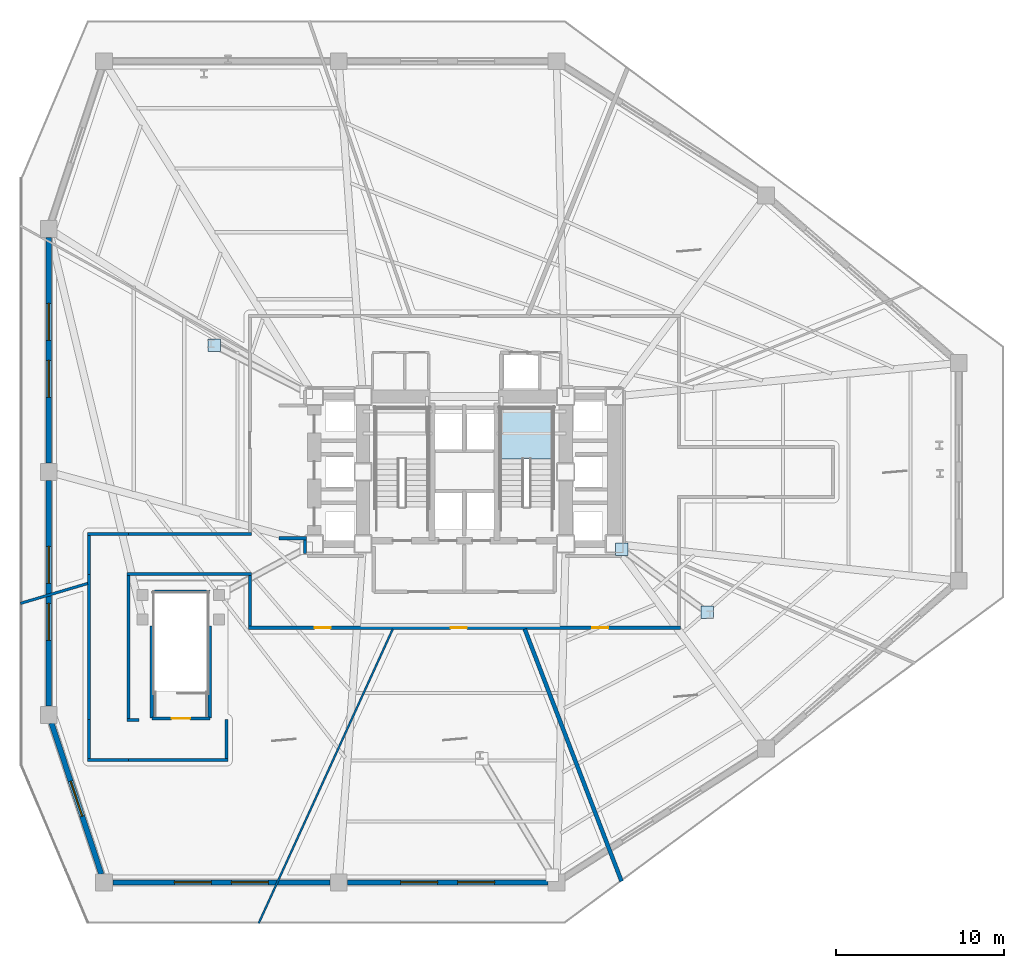
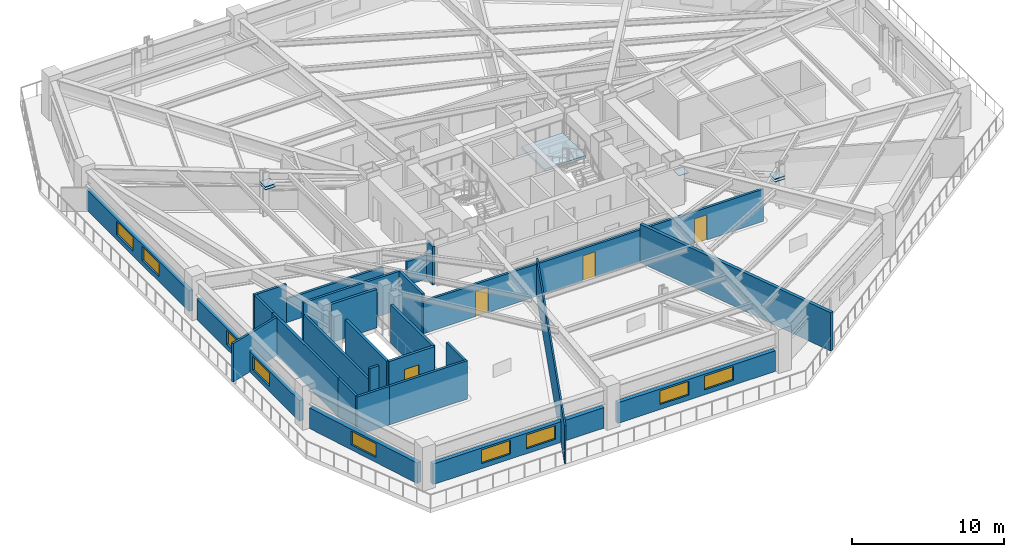
# One storey, part 3 of 10: 27 walls, 9 windows, 5 plates, 4 doors, 1 slab, 13 openings, 1 element without a shape of its own.
"""IFC4 building model written with IfcOpenShell, lengths in metres."""

import ifcopenshell
import ifcopenshell.guid

model = None  # the IFC model being written
_history = None  # IfcOwnerHistory: only IFC2X3 demands one
_inside = {}  # id of a spatial element -> (the spatial element, [elements in it])
_under = {}  # id of a project, library or spatial element -> (it, [spatial elements below it])
_declared = {}  # id of a project -> (the project, [libraries it declares])
_typed = {}  # id of a type object -> (the type object, [elements of that type])
_made_of = {}  # id of a material, layer set ... -> (it, [elements and type objects made of it])


def new_model(schema):
    """Start an empty IFC model of exactly this schema.

    Asked for "IFC4X3", IfcOpenShell would pick the latest addendum, in which some entities
    have other attributes; the version numbers below select the first issue.
    IFC2X3 requires an IfcOwnerHistory on every rooted entity: one is made here for all.
    """
    global model, _history
    if schema == "IFC4X3":
        model = ifcopenshell.file(schema_version=(4, 3, 0, 0))
    else:
        model = ifcopenshell.file(schema=schema)
    _inside.clear()
    _under.clear()
    _declared.clear()
    _typed.clear()
    _made_of.clear()
    _history = None
    if model.schema == "IFC2X3":
        org = make("IfcOrganization", Name="unknown")
        user = make(
            "IfcPersonAndOrganization",
            ThePerson=make("IfcPerson", FamilyName="unknown"),
            TheOrganization=org,
        )
        app = make(
            "IfcApplication",
            ApplicationDeveloper=org,
            Version="unknown",
            ApplicationFullName="unknown",
            ApplicationIdentifier="unknown",
        )
        _history = make(
            "IfcOwnerHistory",
            OwningUser=user,
            OwningApplication=app,
            ChangeAction="ADDED",
            CreationDate=0,
        )
    return model


def make(cls, **values):
    """One entity of the class cls with the attributes given. An attribute that is None is left unset."""
    return model.create_entity(
        cls, **{name: value for name, value in values.items() if value is not None}
    )


def rooted(cls, **values):
    """An entity with a GlobalId (a new one), such as an element, a storey or a relation."""
    return make(cls, GlobalId=ifcopenshell.guid.new(), OwnerHistory=_history, **values)


def si_unit(unit_type, name, prefix=None):
    """IfcSIUnit, for example si_unit("LENGTHUNIT", "METRE", prefix="MILLI")."""
    return make("IfcSIUnit", UnitType=unit_type, Prefix=prefix, Name=name)


def assignment(units):
    """IfcUnitAssignment: the units of a project."""
    return None if units is None else make("IfcUnitAssignment", Units=units)


def point(xyz):
    """IfcCartesianPoint."""
    return None if xyz is None else make("IfcCartesianPoint", Coordinates=xyz)


def direction(xyz):
    """IfcDirection."""
    return None if xyz is None else make("IfcDirection", DirectionRatios=xyz)


def frame(location, z_axis=None, x_axis=None):
    """IfcAxis2Placement3D, a coordinate frame: its origin and axes. An axis left out is left unset."""
    return make(
        "IfcAxis2Placement3D",
        Location=point(location),
        Axis=direction(z_axis),
        RefDirection=direction(x_axis),
    )


def frame_2d(location, x_axis=None):
    """IfcAxis2Placement2D, a coordinate frame in the plane: its origin and x axis."""
    return make(
        "IfcAxis2Placement2D", Location=point(location), RefDirection=direction(x_axis)
    )


def origin():
    """The frame at (0, 0, 0) with its axes left unset."""
    return frame((0.0, 0.0, 0.0))


def origin_2d():
    """The frame at (0, 0) in the plane with its x axis left unset."""
    return frame_2d((0.0, 0.0))


def place(relative_to, where):
    """IfcLocalPlacement: puts the frame where relative to a parent placement (None: the world)."""
    return make(
        "IfcLocalPlacement", PlacementRelTo=relative_to, RelativePlacement=where
    )


def context(
    kind, dimensions, precision=None, world=None, true_north=None, identifier=None
):
    """IfcGeometricRepresentationContext, for example the 3D "Model" context."""
    return make(
        "IfcGeometricRepresentationContext",
        ContextIdentifier=identifier,
        ContextType=kind,
        CoordinateSpaceDimension=dimensions,
        Precision=precision,
        WorldCoordinateSystem=world,
        TrueNorth=true_north,
    )


def subcontext(parent, identifier, kind, view, scale=None):
    """IfcGeometricRepresentationSubContext, for example "Body" below "Model"."""
    return make(
        "IfcGeometricRepresentationSubContext",
        ContextIdentifier=identifier,
        ContextType=kind,
        ParentContext=parent,
        TargetScale=scale,
        TargetView=view,
    )


def project(units=None, contexts=None):
    """IfcProject with its units and contexts."""
    return rooted(
        "IfcProject",
        Name="project",
        RepresentationContexts=contexts,
        UnitsInContext=assignment(units),
    )


def spatial(cls, under=None, at=None, **own):
    """A site, building, storey or space (cls), placed at a placement, below another one or the project."""
    s = rooted(cls, ObjectPlacement=at, **own)
    if under is not None:
        _under.setdefault(under.id(), (under, []))[1].append(s)
    return s


def polyline(points):
    """IfcPolyline through the points."""
    return make("IfcPolyline", Points=[point(p) for p in points])


def profile(cls, at=None, kind="AREA", **sizes):
    """A parametric profile (cls). Its sizes go by their IFC names, for example OverallWidth=200.0."""
    return make(cls, ProfileType=kind, Position=at, **sizes)


def rectangle(**sizes):
    """IfcRectangleProfileDef."""
    return profile("IfcRectangleProfileDef", **sizes)


def outline(outer, holes=None, kind="AREA"):
    """IfcArbitraryClosedProfileDef: a profile drawn as a closed curve; with holes, ...WithVoids."""
    if holes is None:
        return make("IfcArbitraryClosedProfileDef", ProfileType=kind, OuterCurve=outer)
    return make(
        "IfcArbitraryProfileDefWithVoids",
        ProfileType=kind,
        OuterCurve=outer,
        InnerCurves=holes,
    )


def extrude(swept, where, along, depth):
    """IfcExtrudedAreaSolid: the profile swept, set in the frame where, extruded along a direction by depth."""
    return make(
        "IfcExtrudedAreaSolid",
        SweptArea=swept,
        Position=where,
        ExtrudedDirection=direction(along),
        Depth=depth,
    )


def shape(context_of_items, identifier, shape_type, items):
    """IfcShapeRepresentation: the items that make up one representation, for example the "Body"."""
    return make(
        "IfcShapeRepresentation",
        ContextOfItems=context_of_items,
        RepresentationIdentifier=identifier,
        RepresentationType=shape_type,
        Items=items,
    )


def material(Name=None, Category=None):
    """IfcMaterial."""
    return make("IfcMaterial", Name=Name, Category=Category)


def layer(
    of_material, thickness, ventilated=None, Name=None, Category=None, Priority=None
):
    """IfcMaterialLayer: one layer of a wall or slab, of a material (None: an air gap)."""
    return make(
        "IfcMaterialLayer",
        Material=of_material,
        LayerThickness=thickness,
        IsVentilated=ventilated,
        Name=Name,
        Category=Category,
        Priority=Priority,
    )


def layer_set(layers, Name=None):
    """IfcMaterialLayerSet."""
    return make("IfcMaterialLayerSet", MaterialLayers=layers, LayerSetName=Name)


def made_of(thing, what):
    """Note that an element or type object is made of a material, layer set ...; save() writes the relation."""
    if what is not None:
        _made_of.setdefault(what.id(), (what, []))[1].append(thing)
    return thing


def type_object(cls, material=None, **own):
    """A type object (cls), such as IfcWallType, which elements share."""
    return made_of(rooted(cls, **own), material)


def element(
    cls,
    number,
    at=None,
    inside=None,
    cuts=None,
    type_object=None,
    material=None,
    context=None,
    identifier="Body",
    shape_type=None,
    held_by="IfcProductDefinitionShape",
    body=None,
    shapes=None,
    **own,
):
    """One element of the class cls, such as IfcWall. Its Tag is "e" and its number.

    at: its placement. inside: the storey or other place that contains it. cuts: it is an
    opening in that element (IfcRelVoidsElement). A single representation is given by context,
    identifier, shape_type and body (its items); several are given by shapes. held_by: the class
    of the entity that holds the representations. save() writes the other relations.
    """
    e = rooted(cls, Tag="e%d" % number, ObjectPlacement=at, **own)
    if body is not None:
        shapes = [shape(context, identifier, shape_type, body)]
    if shapes is not None:
        e.Representation = make(held_by, Representations=shapes)
    if inside is not None:
        _inside.setdefault(inside.id(), (inside, []))[1].append(e)
    if cuts is not None:
        rooted(
            "IfcRelVoidsElement", RelatingBuildingElement=cuts, RelatedOpeningElement=e
        )
    if type_object is not None:
        _typed.setdefault(type_object.id(), (type_object, []))[1].append(e)
    return made_of(e, material)


def fill(opening, filler):
    """IfcRelFillsElement: the door or window that sits in an opening."""
    return rooted(
        "IfcRelFillsElement",
        RelatingOpeningElement=opening,
        RelatedBuildingElement=filler,
    )


def aggregate(whole, parts):
    """IfcRelAggregates: a whole, such as a stair, and the parts it consists of."""
    return rooted("IfcRelAggregates", RelatingObject=whole, RelatedObjects=parts)


def save(model, path):
    """Write the relations noted so far, then the file.

    IfcRelAggregates (storeys below a building ...), IfcRelContainedInSpatialStructure (elements
    in a storey), IfcRelDefinesByType, IfcRelAssociatesMaterial and IfcRelDeclares: one each for
    every whole, place, type object, material and project.
    """
    for whole, parts in _under.values():
        aggregate(whole, parts)
    for where, things in _inside.values():
        rooted(
            "IfcRelContainedInSpatialStructure",
            RelatedElements=things,
            RelatingStructure=where,
        )
    for kind, things in _typed.values():
        rooted("IfcRelDefinesByType", RelatedObjects=things, RelatingType=kind)
    for what, things in _made_of.values():
        rooted("IfcRelAssociatesMaterial", RelatedObjects=things, RelatingMaterial=what)
    for by, libraries in _declared.values():
        rooted("IfcRelDeclares", RelatingContext=by, RelatedDefinitions=libraries)
    model.write(path)


model = new_model("IFC4")

# Units and contexts
model_context = context("Model", 3, precision=1e-05, world=origin(), true_north=direction((0.0, 1.0)))
body_context = subcontext(model_context, "Body", "Model", "MODEL_VIEW")
ifc_project = project(units=[si_unit("LENGTHUNIT", "METRE"), si_unit("AREAUNIT", "SQUARE_METRE"), si_unit("VOLUMEUNIT", "CUBIC_METRE"), si_unit("PLANEANGLEUNIT", "RADIAN"), si_unit("MASSUNIT", "GRAM", prefix="KILO")], contexts=[model_context])

# Site, building, storey
site_placement = place(None, origin())
site = spatial("IfcSite", under=ifc_project, at=site_placement, CompositionType="ELEMENT")
building_placement = place(site_placement, origin())
building = spatial("IfcBuilding", under=site, at=building_placement, Name="Rocaltana Carrier Exchange", CompositionType="ELEMENT")
storey_placement = place(building_placement, frame((0.0, 0.0, 15.360107421875)))
storey = spatial("IfcBuildingStorey", under=building, at=storey_placement, Name="L05", CompositionType="ELEMENT", Elevation=15.360107421875)

# Plates
ifc_material_1 = material(Name="Steel S460", Category="steel")
ifc_layer_1 = layer(ifc_material_1, 0.035888671875)
ifc_layer_set_1 = layer_set([ifc_layer_1], Name="Steel S460")
plate_type = type_object("IfcPlateType", Name="Outrigger Node Gusset Plate 750x750x36", PredefinedType="USERDEFINED", material=ifc_layer_set_1)
for number, where, z_axis, x_axis, name in (
    (1, (-14.932373046875, 7.560302734375, 2.52978515625), (0.0, 0.0, 1.0), (1.0, 0.0, 0.0), "L05 Mega-Transfer Truss Diagonal 1 node plate C1"),
    (2, (-14.932373046875, 7.560302734375, 2.3017578125), (0.0, 0.0, 1.0), (1.0, 0.0, 0.0), "L05 Mega-Transfer Bottom Chord 1 node plate C1"),
    (3, (9.389404296875, -4.624267578125, 2.3017578125), (0.0, 0.0, 1.0), (1.0, 0.0, 0.0), "L05 Mega-Transfer Truss Diagonal 3 node plate C0"),
    (4, (14.486328125, -8.385986328125, 2.52978515625), (0.0, 0.0, 1.0), (1.0, 0.0, 0.0), "L05 Mega-Transfer Truss Diagonal 3 node plate C1"),
    (5, (14.486328125, -8.385986328125, 2.3017578125), (0.0, 0.0, 1.0), (1.0, 0.0, 0.0), "L05 Mega-Transfer Bottom Chord 3 node plate C1"),
):
    element("IfcPlate", number, at=place(storey_placement, frame(where, z_axis=z_axis, x_axis=x_axis)), inside=storey, type_object=plate_type, Name=name, ObjectType="GUSSET PLATE", PredefinedType="USERDEFINED", context=body_context, shape_type="SweptSolid", body=[
        extrude(rectangle(XDim=0.75, YDim=0.75, at=origin_2d()), origin(), (0.0, 0.0, 1.0), 0.035888671875),
    ])

# Stair, slab
ifc_material_2 = material(Name="Precast concrete C45/55", Category="concrete")
stair_type = type_object("IfcStairType", Name="Standard Dog-Leg Stair 160", PredefinedType="HALF_TURN_STAIR", material=ifc_material_2)
stair_placement = place(storey_placement, origin())
stair = element("IfcStair", 6, at=stair_placement, inside=storey, type_object=stair_type, Name="L05 Core East Exit Stair ST-2", PredefinedType="HALF_TURN_STAIR")
ifc_material_3 = material(Name="Precast concrete C45/55", Category="concrete")
ifc_layer_2 = layer(ifc_material_3, 0.199951171875)
ifc_layer_set_2 = layer_set([ifc_layer_2], Name="Precast concrete C45/55")
slab_type = type_object("IfcSlabType", Name="Precast Stair Half-Landing 200", PredefinedType="LANDING", material=ifc_layer_set_2)
slab_placement = place(storey_placement, frame((0.0, 0.0, 1.559814453125)))
slab = element("IfcSlab", 7, at=slab_placement, type_object=slab_type, Name="ST-2 landing 1", PredefinedType="LANDING", context=body_context, shape_type="SweptSolid", body=[
    extrude(outline(polyline([(5.300048828125, 0.780029296875), (5.300048828125, 3.800048828125), (2.139892578125, 3.800048828125), (2.139892578125, 0.780029296875), (5.300048828125, 0.780029296875)])), origin(), (0.0, 0.0, 1.0), 0.2001953125),
])
aggregate(stair, [slab])

# Walls
ifc_material_4 = material(Name="Double Acoustic Gypsum Partition", Category="gypsum")
ifc_layer_3 = layer(ifc_material_4, 0.159912109375)
ifc_layer_set_3 = layer_set([ifc_layer_3], Name="Double Acoustic Gypsum Partition")
wall_type_1 = type_object("IfcWallType", Name="Acoustic Studio Partition 160 EI60", PredefinedType="PARTITIONING", material=ifc_layer_set_3)
wall_1_placement = place(storey_placement, frame((-22.47998046875, -6.658935546875, 0.0), z_axis=(0.0, 0.0, 1.0), x_axis=(-0.958824609588, -0.283998887406, 0.0)))
element("IfcWall", 8, at=wall_1_placement, inside=storey, type_object=wall_type_1, Name="L05 Suite Divider Wall D1", PredefinedType="PARTITIONING", context=body_context, shape_type="SweptSolid", body=[
    extrude(rectangle(XDim=4.18212890625, YDim=0.159912109375, at=frame_2d((2.091064453125, 0.0))), origin(), (0.0, 0.0, 1.0), 3.072998046875),
])
ifc_material_5 = material(Name="Gypsum & Steel Stud Partition", Category="steel")
ifc_layer_4 = layer(ifc_material_5, 0.179931640625)
ifc_layer_set_4 = layer_set([ifc_layer_4], Name="Gypsum & Steel Stud Partition")
wall_type_2 = type_object("IfcWallType", Name="Corridor Fire Partition 180 EI60", PredefinedType="PARTITIONING", material=ifc_layer_set_4)
wall_2_placement = place(storey_placement, frame((-20.030029296875, -17.199951171875, 0.0), z_axis=(0.0, 0.0, 1.0), x_axis=(-1.0, 0.0, 0.0)))
element("IfcWall", 9, at=wall_2_placement, inside=storey, type_object=wall_type_2, Name="L05 Corridor Partition 1", PredefinedType="PARTITIONING", context=body_context, shape_type="SweptSolid", body=[
    extrude(rectangle(XDim=2.4599609375, YDim=0.179931640625, at=frame_2d((1.22998046875, 0.0))), origin(), (0.0, 0.0, 1.0), 3.072998046875),
])
wall_3_placement = place(storey_placement, frame((-22.39990234375, -17.110107421875, 0.0), z_axis=(0.0, 0.0, 1.0), x_axis=(0.0, 1.0, 0.0)))
element("IfcWall", 10, at=wall_3_placement, inside=storey, type_object=wall_type_2, Name="L05 Corridor Partition 2", PredefinedType="PARTITIONING", context=body_context, shape_type="SweptSolid", body=[
    extrude(rectangle(XDim=2.330078125, YDim=0.179931640625, at=frame_2d((1.1650390625, 0.0))), origin(), (0.0, 0.0, 1.0), 3.072998046875),
])
wall_4_placement = place(storey_placement, frame((-22.39990234375, -14.820068359375, 0.0), z_axis=(0.0, 0.0, 1.0), x_axis=(0.0, 1.0, 0.0)))
element("IfcWall", 11, at=wall_4_placement, inside=storey, type_object=wall_type_2, Name="L05 Corridor Partition 3", PredefinedType="PARTITIONING", context=body_context, shape_type="SweptSolid", body=[
    extrude(rectangle(XDim=8.739990234375, YDim=0.179931640625, at=frame_2d((4.3701171875, 0.0))), origin(), (0.0, 0.0, 1.0), 3.072998046875),
])
wall_5_placement = place(storey_placement, frame((-22.39990234375, -6.1201171875, 0.0), z_axis=(0.0, 0.0, 1.0), x_axis=(0.0, 1.0, 0.0)))
element("IfcWall", 12, at=wall_5_placement, inside=storey, type_object=wall_type_2, Name="L05 Corridor Partition 4", PredefinedType="PARTITIONING", context=body_context, shape_type="SweptSolid", body=[
    extrude(rectangle(XDim=2.330078125, YDim=0.179931640625, at=frame_2d((1.1650390625, 0.0))), origin(), (0.0, 0.0, 1.0), 3.072998046875),
])
wall_6_placement = place(storey_placement, frame((-22.489990234375, -3.699951171875, 0.0), z_axis=(0.0, 0.0, 1.0), x_axis=(1.0, 0.0, 0.0)))
element("IfcWall", 13, at=wall_6_placement, inside=storey, type_object=wall_type_2, Name="L05 Corridor Partition 5", PredefinedType="PARTITIONING", context=body_context, shape_type="SweptSolid", body=[
    extrude(rectangle(XDim=2.4599609375, YDim=0.179931640625, at=frame_2d((1.22998046875, 0.0))), origin(), (0.0, 0.0, 1.0), 3.072998046875),
])
wall_7_placement = place(storey_placement, frame((-20.070068359375, -3.699951171875, 0.0), z_axis=(0.0, 0.0, 1.0), x_axis=(1.0, 0.0, 0.0)))
element("IfcWall", 14, at=wall_7_placement, inside=storey, type_object=wall_type_2, Name="L05 Corridor Partition 6", PredefinedType="PARTITIONING", context=body_context, shape_type="SweptSolid", body=[
    extrude(rectangle(XDim=7.360107421875, YDim=0.179931640625, at=frame_2d((3.68017578125, 0.0))), origin(), (0.0, 0.0, 1.0), 1.892822265625),
])

# Wall, openings, doors
wall_8_placement = place(storey_placement, frame((12.889892578125, -9.300048828125, 0.0), z_axis=(0.0, 0.0, 1.0), x_axis=(-1.0, 0.0, 0.0)))
wall_8 = element("IfcWall", 15, at=wall_8_placement, inside=storey, type_object=wall_type_2, Name="L05 Corridor Partition 14", PredefinedType="PARTITIONING", context=body_context, shape_type="SweptSolid", body=[
    extrude(rectangle(XDim=25.77978515625, YDim=0.179931640625, at=frame_2d((12.889892578125, 0.0))), origin(), (0.0, 0.0, 1.0), 2.5869140625),
])
opening_1_placement = place(wall_8_placement, frame((20.8662109375, 0.0, 0.0)))
opening_1 = element("IfcOpeningElement", 16, at=opening_1_placement, cuts=wall_8, Name="Opening D-RM098", PredefinedType="OPENING", context=body_context, shape_type="SweptSolid", body=[
    extrude(rectangle(XDim=0.9599609375, YDim=2.02001953125, at=frame_2d((0.47998046875, 1.010009765625))), frame((0.0, 0.099853515625, 0.0), z_axis=(0.0, -1.0, 0.0), x_axis=(1.0, 0.0, 0.0)), (0.0, 0.0, 1.0), 0.199951171875),
])
opening_2_placement = place(wall_8_placement, frame((12.747802734375, 0.0, 0.0)))
opening_2 = element("IfcOpeningElement", 17, at=opening_2_placement, cuts=wall_8, Name="Opening D-RM098", PredefinedType="OPENING", context=body_context, shape_type="SweptSolid", body=[
    extrude(rectangle(XDim=0.9599609375, YDim=2.02001953125, at=frame_2d((0.47998046875, 1.010009765625))), frame((0.0, 0.099853515625, 0.0), z_axis=(0.0, -1.0, 0.0), x_axis=(1.0, 0.0, 0.0)), (0.0, 0.0, 1.0), 0.199951171875),
])
opening_3_placement = place(wall_8_placement, frame((4.2919921875, 0.0, 0.0)))
opening_3 = element("IfcOpeningElement", 18, at=opening_3_placement, cuts=wall_8, Name="Opening D-RM098", PredefinedType="OPENING", context=body_context, shape_type="SweptSolid", body=[
    extrude(rectangle(XDim=0.9599609375, YDim=2.02001953125, at=frame_2d((0.47998046875, 1.010009765625))), frame((0.0, 0.099853515625, 0.0), z_axis=(0.0, -1.0, 0.0), x_axis=(1.0, 0.0, 0.0)), (0.0, 0.0, 1.0), 0.199951171875),
])
ifc_material_6 = material(Name="Engineered Hardwood Timber", Category="wood")
door_type_1 = type_object("IfcDoorType", Name="Workspace Single Door 960x2020", OperationType="NOTDEFINED", PredefinedType="DOOR", material=ifc_material_6)
door_1_placement = place(opening_1_placement, origin())
door_1 = element("IfcDoor", 19, at=door_1_placement, inside=storey, type_object=door_type_1, Name="L05 Client Reception Foyer Entrance Door", OperationType="SINGLE_SWING_RIGHT", OverallHeight=2.02001953125, OverallWidth=0.9599609375, PredefinedType="DOOR", context=body_context, shape_type="SweptSolid", body=[
    extrude(rectangle(XDim=0.9599609375, YDim=2.02001953125, at=frame_2d((0.47998046875, 1.010009765625))), frame((0.0, 0.02490234375, 0.0), z_axis=(0.0, -1.0, 0.0), x_axis=(1.0, 0.0, 0.0)), (0.0, 0.0, 1.0), 0.050048828125),
])
fill(opening_1, door_1)
door_2_placement = place(opening_2_placement, origin())
door_2 = element("IfcDoor", 20, at=door_2_placement, inside=storey, type_object=door_type_1, Name="L05 Staff Break Pantry Entrance Door", OperationType="SINGLE_SWING_LEFT", OverallHeight=2.02001953125, OverallWidth=0.9599609375, PredefinedType="DOOR", context=body_context, shape_type="SweptSolid", body=[
    extrude(rectangle(XDim=0.9599609375, YDim=2.02001953125, at=frame_2d((0.47998046875, 1.010009765625))), frame((0.0, 0.02490234375, 0.0), z_axis=(0.0, -1.0, 0.0), x_axis=(1.0, 0.0, 0.0)), (0.0, 0.0, 1.0), 0.050048828125),
])
fill(opening_2, door_2)
door_3_placement = place(opening_3_placement, origin())
door_3 = element("IfcDoor", 21, at=door_3_placement, inside=storey, type_object=door_type_1, Name="L05 Client Reception Foyer Entrance Door", OperationType="SINGLE_SWING_RIGHT", OverallHeight=2.02001953125, OverallWidth=0.9599609375, PredefinedType="DOOR", context=body_context, shape_type="SweptSolid", body=[
    extrude(rectangle(XDim=0.9599609375, YDim=2.02001953125, at=frame_2d((0.47998046875, 1.010009765625))), frame((0.0, 0.02490234375, 0.0), z_axis=(0.0, -1.0, 0.0), x_axis=(1.0, 0.0, 0.0)), (0.0, 0.0, 1.0), 0.050048828125),
])
fill(opening_3, door_3)

# Walls
wall_9_placement = place(storey_placement, frame((-12.800048828125, -9.2099609375, 0.0), z_axis=(0.0, 0.0, 1.0), x_axis=(0.0, 1.0, 0.0)))
element("IfcWall", 22, at=wall_9_placement, inside=storey, type_object=wall_type_2, Name="L05 Corridor Partition 15", PredefinedType="PARTITIONING", context=body_context, shape_type="SweptSolid", body=[
    extrude(rectangle(XDim=3.02001953125, YDim=0.179931640625, at=frame_2d((1.510009765625, 0.0))), origin(), (0.0, 0.0, 1.0), 3.072998046875),
])
wall_10_placement = place(storey_placement, frame((-12.7099609375, -6.10009765625, 0.0), z_axis=(0.0, 0.0, 1.0), x_axis=(-1.0, 0.0, 0.0)))
element("IfcWall", 23, at=wall_10_placement, inside=storey, type_object=wall_type_2, Name="L05 Corridor Partition 16", PredefinedType="PARTITIONING", context=body_context, shape_type="SweptSolid", body=[
    extrude(rectangle(XDim=7.429931640625, YDim=0.179931640625, at=frame_2d((3.71484375, 0.0))), origin(), (0.0, 0.0, 1.0), 3.072998046875),
])
wall_11_placement = place(storey_placement, frame((-20.050048828125, -6.18994140625, 0.0), z_axis=(0.0, 0.0, 1.0), x_axis=(0.0, -1.0, 0.0)))
element("IfcWall", 24, at=wall_11_placement, inside=storey, type_object=wall_type_2, Name="L05 Corridor Partition 17", PredefinedType="PARTITIONING", context=body_context, shape_type="SweptSolid", body=[
    extrude(rectangle(XDim=8.52001953125, YDim=0.179931640625, at=frame_2d((4.260009765625, 0.0))), origin(), (0.0, 0.0, 1.0), 2.1259765625),
])
wall_12_placement = place(storey_placement, frame((-20.139892578125, -14.800048828125, 0.0), z_axis=(0.0, 0.0, 1.0), x_axis=(1.0, 0.0, 0.0)))
element("IfcWall", 25, at=wall_12_placement, inside=storey, type_object=wall_type_2, Name="L05 Corridor Partition 18", PredefinedType="PARTITIONING", context=body_context, shape_type="SweptSolid", body=[
    extrude(rectangle(XDim=0.7099609375, YDim=0.179931640625, at=frame_2d((0.35498046875, 0.0))), origin(), (0.0, 0.0, 1.0), 3.072998046875),
])
wall_13_placement = place(storey_placement, frame((-14.199951171875, -14.780029296875, 0.0), z_axis=(0.0, 0.0, 1.0), x_axis=(0.0, -1.0, 0.0)))
element("IfcWall", 26, at=wall_13_placement, inside=storey, type_object=wall_type_2, Name="L05 Corridor Partition 19", PredefinedType="PARTITIONING", context=body_context, shape_type="SweptSolid", body=[
    extrude(rectangle(XDim=2.330078125, YDim=0.179931640625, at=frame_2d((1.1650390625, 0.0))), origin(), (0.0, 0.0, 1.0), 3.072998046875),
])
wall_14_placement = place(storey_placement, frame((-14.110107421875, -17.199951171875, 0.0), z_axis=(0.0, 0.0, 1.0), x_axis=(-1.0, 0.0, 0.0)))
element("IfcWall", 27, at=wall_14_placement, inside=storey, type_object=wall_type_2, Name="L05 Corridor Partition 20", PredefinedType="PARTITIONING", context=body_context, shape_type="SweptSolid", body=[
    extrude(rectangle(XDim=5.9599609375, YDim=0.179931640625, at=frame_2d((2.97998046875, 0.0))), origin(), (0.0, 0.0, 1.0), 3.072998046875),
])
wall_15_placement = place(storey_placement, frame((-11.070068359375, -3.9599609375, 0.0), z_axis=(0.0, 0.0, 1.0), x_axis=(1.0, 0.0, 0.0)))
element("IfcWall", 28, at=wall_15_placement, inside=storey, type_object=wall_type_2, Name="L05 Corridor Partition 21", PredefinedType="PARTITIONING", context=body_context, shape_type="SweptSolid", body=[
    extrude(rectangle(XDim=1.650146484375, YDim=0.179931640625, at=frame_2d((0.8251953125, 0.0))), origin(), (0.0, 0.0, 1.0), 1.892822265625),
])
wall_16_placement = place(storey_placement, frame((-9.510009765625, -4.050048828125, 0.0), z_axis=(0.0, 0.0, 1.0), x_axis=(0.0, -1.0, 0.0)))
element("IfcWall", 29, at=wall_16_placement, inside=storey, type_object=wall_type_2, Name="L05 Corridor Partition 22", PredefinedType="PARTITIONING", context=body_context, shape_type="SweptSolid", body=[
    extrude(rectangle(XDim=0.820068359375, YDim=0.179931640625, at=frame_2d((0.41015625, 0.0))), origin(), (0.0, 0.0, 1.0), 3.072998046875),
])
ifc_material_7 = material(Name="Aluminium 6063-T6 & Acoustic Glass", Category="aluminium")
ifc_layer_5 = layer(ifc_material_7, 0.114990234375)
ifc_layer_set_5 = layer_set([ifc_layer_5], Name="Aluminium 6063-T6 & Acoustic Glass")
wall_type_3 = type_object("IfcWallType", Name="Demountable Glazed Lab Partition 115", PredefinedType="MOVABLE", material=ifc_layer_set_5)
wall_17_placement = place(storey_placement, frame((-4.274658203125, -9.3798828125, 0.0), z_axis=(0.0, 0.0, 1.0), x_axis=(-0.414697782226, -0.909959202062, 0.0)))
element("IfcWall", 30, at=wall_17_placement, inside=storey, type_object=wall_type_3, Name="L05 Suite Divider Wall D2", PredefinedType="MOVABLE", context=body_context, shape_type="SweptSolid", body=[
    extrude(rectangle(XDim=19.297607421875, YDim=0.114990234375, at=frame_2d((9.64892578125, 0.0))), origin(), (0.0, 0.0, 1.0), 3.072998046875),
])
ifc_material_8 = material(Name="Acoustic Calcium Silicate Partition", Category="gypsum")
ifc_layer_6 = layer(ifc_material_8, 0.239990234375)
ifc_layer_set_6 = layer_set([ifc_layer_6], Name="Acoustic Calcium Silicate Partition")
wall_type_4 = type_object("IfcWallType", Name="Heavy Lab Partition 240 EI90", PredefinedType="PARTITIONING", material=ifc_layer_set_6)
wall_18_placement = place(storey_placement, frame((3.6005859375, -9.3798828125, 0.0), z_axis=(0.0, 0.0, 1.0), x_axis=(0.358364010281, -0.933581938629, 0.0)))
element("IfcWall", 31, at=wall_18_placement, inside=storey, type_object=wall_type_4, Name="L05 Suite Divider Wall D3", PredefinedType="PARTITIONING", context=body_context, shape_type="SweptSolid", body=[
    extrude(rectangle(XDim=16.120849609375, YDim=0.239990234375, at=frame_2d((8.060546875, 0.0))), origin(), (0.0, 0.0, 1.0), 3.072998046875),
])
ifc_material_9 = material(Name="Reinforced Concrete Block C35/45", Category="concrete")
ifc_layer_7 = layer(ifc_material_9, 0.199951171875)
ifc_layer_set_7 = layer_set([ifc_layer_7], Name="Reinforced Concrete Block C35/45")
wall_type_5 = type_object("IfcWallType", Name="Lift Hoistway Enclosure Wall 200 EI120", PredefinedType="PARTITIONING", material=ifc_layer_set_7)
for number, where, z_axis, x_axis, name in (
    (32, (-18.64990234375, -14.699951171875, 0.0), (0.0, 0.0, 1.0), (0.0, 1.0, 0.0), "L05 Podium Stair ST-3 West Wall"),
    (33, (-15.18994140625, -14.699951171875, 0.0), (0.0, 0.0, 1.0), (0.0, 1.0, 0.0), "L05 Podium Stair ST-3 East Wall"),
):
    element("IfcWall", number, at=place(storey_placement, frame(where, z_axis=z_axis, x_axis=x_axis)), inside=storey, type_object=wall_type_5, Name=name, PredefinedType="PARTITIONING", context=body_context, shape_type="SweptSolid", body=[
        extrude(rectangle(XDim=5.5, YDim=0.199951171875, at=frame_2d((2.75, 0.0))), origin(), (0.0, 0.0, 1.0), 3.072998046875),
    ])
wall_19_placement = place(storey_placement, frame((-18.64990234375, -7.14990234375, 0.0), z_axis=(0.0, 0.0, 1.0), x_axis=(1.0, 0.0, 0.0)))
element("IfcWall", 34, at=wall_19_placement, inside=storey, type_object=wall_type_5, Name="L05 Podium Stair ST-3 North Wall", PredefinedType="PARTITIONING", context=body_context, shape_type="SweptSolid", body=[
    extrude(rectangle(XDim=3.4599609375, YDim=0.199951171875, at=frame_2d((1.72998046875, 0.0))), origin(), (0.0, 0.0, 1.0), 3.072998046875),
])

# Wall, opening, door
wall_20_placement = place(storey_placement, frame((-18.64990234375, -14.719970703125, 0.0), z_axis=(0.0, 0.0, 1.0), x_axis=(1.0, 0.0, 0.0)))
wall_20 = element("IfcWall", 35, at=wall_20_placement, inside=storey, type_object=wall_type_5, Name="L05 Podium Stair ST-3 South Landing Wall", PredefinedType="PARTITIONING", context=body_context, shape_type="SweptSolid", body=[
    extrude(rectangle(XDim=3.4599609375, YDim=0.199951171875, at=frame_2d((1.72998046875, 0.0))), origin(), (0.0, 0.0, 1.0), 3.072998046875),
])
opening_4_placement = place(wall_20_placement, frame((1.179931640625, 0.0, 0.0)))
opening_4 = element("IfcOpeningElement", 36, at=opening_4_placement, cuts=wall_20, Name="Opening D-ST110", PredefinedType="OPENING", context=body_context, shape_type="SweptSolid", body=[
    extrude(rectangle(XDim=1.10009765625, YDim=2.0400390625, at=frame_2d((0.550048828125, 1.02001953125))), frame((0.0, 0.10986328125, 0.0), z_axis=(0.0, -1.0, 0.0), x_axis=(1.0, 0.0, 0.0)), (0.0, 0.0, 1.0), 0.219970703125),
])
ifc_material_10 = material(Name="Hollow Metal Fire Door Assembly", Category="steel")
door_type_2 = type_object("IfcDoorType", Name="Exit Stair Fire Door 1100x2040 FD90S", OperationType="NOTDEFINED", PredefinedType="DOOR", material=ifc_material_10)
door_4_placement = place(opening_4_placement, origin())
door_4 = element("IfcDoor", 37, at=door_4_placement, inside=storey, type_object=door_type_2, Name="L05 Podium Stair ST-3 Fire Door", OperationType="SINGLE_SWING_LEFT", OverallHeight=2.0400390625, OverallWidth=1.10009765625, PredefinedType="DOOR", context=body_context, shape_type="SweptSolid", body=[
    extrude(rectangle(XDim=1.10009765625, YDim=2.0400390625, at=frame_2d((0.550048828125, 1.02001953125))), frame((0.0, 0.02490234375, 0.0), z_axis=(0.0, -1.0, 0.0), x_axis=(1.0, 0.0, 0.0)), (0.0, 0.0, 1.0), 0.050048828125),
])
fill(opening_4, door_4)

# Wall, openings, windows
ifc_material_11 = material(Name="Precast sandstone concrete C45/55", Category="masonry")
ifc_layer_8 = layer(ifc_material_11, 0.320068359375)
ifc_layer_set_8 = layer_set([ifc_layer_8], Name="Precast sandstone concrete C45/55")
wall_type_6 = type_object("IfcWallType", Name="Precast Sandstone Facade Wall 320", PredefinedType="SOLIDWALL", material=ifc_layer_set_8)
wall_21_placement = place(storey_placement, frame((-8.02001953125, -24.5, 0.0), z_axis=(0.0, 0.0, 1.0), x_axis=(-1.0, 0.0, 0.0)))
wall_21 = element("IfcWall", 38, at=wall_21_placement, inside=storey, type_object=wall_type_6, Name="L05 Sandstone Facade Wall B01", PredefinedType="SOLIDWALL", context=body_context, shape_type="SweptSolid", body=[
    extrude(rectangle(XDim=12.9599609375, YDim=0.320068359375, at=frame_2d((6.47998046875, 0.0))), origin(), (0.0, 0.0, 1.0), 1.64990234375),
])
opening_5_placement = place(wall_21_placement, frame((3.679931640625, 0.0, 0.39990234375)))
opening_5 = element("IfcOpeningElement", 39, at=opening_5_placement, cuts=wall_21, Name="Opening W-04", PredefinedType="OPENING", context=body_context, shape_type="SweptSolid", body=[
    extrude(rectangle(XDim=2.199951171875, YDim=1.10009765625, at=frame_2d((1.10009765625, 0.550048828125))), frame((0.0, 0.169921875, 0.0), z_axis=(0.0, -1.0, 0.0), x_axis=(1.0, 0.0, 0.0)), (0.0, 0.0, 1.0), 0.340087890625),
])
opening_6_placement = place(wall_21_placement, frame((7.080078125, 0.0, 0.39990234375)))
opening_6 = element("IfcOpeningElement", 40, at=opening_6_placement, cuts=wall_21, Name="Opening W-04", PredefinedType="OPENING", context=body_context, shape_type="SweptSolid", body=[
    extrude(rectangle(XDim=2.199951171875, YDim=1.10009765625, at=frame_2d((1.10009765625, 0.550048828125))), frame((0.0, 0.169921875, 0.0), z_axis=(0.0, -1.0, 0.0), x_axis=(1.0, 0.0, 0.0)), (0.0, 0.0, 1.0), 0.340087890625),
])
ifc_material_12 = material(Name="Aluminium 6063-T6 & Double Glazing", Category="aluminium")
window_type = type_object("IfcWindowType", Name="Podium Clerestory Window 2200x1100", PartitioningType="SINGLE_PANEL", PredefinedType="WINDOW", material=ifc_material_12)
window_1_placement = place(opening_5_placement, origin())
window_1 = element("IfcWindow", 41, at=window_1_placement, inside=storey, type_object=window_type, Name="L05 Punched Window B01-1", OverallHeight=1.10009765625, OverallWidth=2.199951171875, PartitioningType="SINGLE_PANEL", PredefinedType="WINDOW", context=body_context, shape_type="SweptSolid", body=[
    extrude(rectangle(XDim=2.199951171875, YDim=1.10009765625, at=frame_2d((1.10009765625, 0.550048828125))), frame((0.0, 0.030029296875, 0.0), z_axis=(0.0, -1.0, 0.0), x_axis=(1.0, 0.0, 0.0)), (0.0, 0.0, 1.0), 0.06005859375),
])
fill(opening_5, window_1)
window_2_placement = place(opening_6_placement, origin())
window_2 = element("IfcWindow", 42, at=window_2_placement, inside=storey, type_object=window_type, Name="L05 Punched Window B01-2", OverallHeight=1.10009765625, OverallWidth=2.199951171875, PartitioningType="SINGLE_PANEL", PredefinedType="WINDOW", context=body_context, shape_type="SweptSolid", body=[
    extrude(rectangle(XDim=2.199951171875, YDim=1.10009765625, at=frame_2d((1.10009765625, 0.550048828125))), frame((0.0, 0.030029296875, 0.0), z_axis=(0.0, -1.0, 0.0), x_axis=(1.0, 0.0, 0.0)), (0.0, 0.0, 1.0), 0.06005859375),
])
fill(opening_6, window_2)

wall_22_placement = place(storey_placement, frame((4.97998046875, -24.5, 0.0), z_axis=(0.0, 0.0, 1.0), x_axis=(-1.0, 0.0, 0.0)))
wall_22 = element("IfcWall", 43, at=wall_22_placement, inside=storey, type_object=wall_type_6, Name="L05 Sandstone Facade Wall B02", PredefinedType="SOLIDWALL", context=body_context, shape_type="SweptSolid", body=[
    extrude(rectangle(XDim=11.9599609375, YDim=0.320068359375, at=frame_2d((5.97998046875, 0.0))), origin(), (0.0, 0.0, 1.0), 1.64990234375),
])
opening_7_placement = place(wall_22_placement, frame((3.179931640625, 0.0, 0.39990234375)))
opening_7 = element("IfcOpeningElement", 44, at=opening_7_placement, cuts=wall_22, Name="Opening W-04", PredefinedType="OPENING", context=body_context, shape_type="SweptSolid", body=[
    extrude(rectangle(XDim=2.199951171875, YDim=1.10009765625, at=frame_2d((1.10009765625, 0.550048828125))), frame((0.0, 0.169921875, 0.0), z_axis=(0.0, -1.0, 0.0), x_axis=(1.0, 0.0, 0.0)), (0.0, 0.0, 1.0), 0.340087890625),
])
opening_8_placement = place(wall_22_placement, frame((6.580078125, 0.0, 0.39990234375)))
opening_8 = element("IfcOpeningElement", 45, at=opening_8_placement, cuts=wall_22, Name="Opening W-04", PredefinedType="OPENING", context=body_context, shape_type="SweptSolid", body=[
    extrude(rectangle(XDim=2.199951171875, YDim=1.10009765625, at=frame_2d((1.10009765625, 0.550048828125))), frame((0.0, 0.169921875, 0.0), z_axis=(0.0, -1.0, 0.0), x_axis=(1.0, 0.0, 0.0)), (0.0, 0.0, 1.0), 0.340087890625),
])
window_3_placement = place(opening_7_placement, origin())
window_3 = element("IfcWindow", 46, at=window_3_placement, inside=storey, type_object=window_type, Name="L05 Punched Window B02-1", OverallHeight=1.10009765625, OverallWidth=2.199951171875, PartitioningType="SINGLE_PANEL", PredefinedType="WINDOW", context=body_context, shape_type="SweptSolid", body=[
    extrude(rectangle(XDim=2.199951171875, YDim=1.10009765625, at=frame_2d((1.10009765625, 0.550048828125))), frame((0.0, 0.030029296875, 0.0), z_axis=(0.0, -1.0, 0.0), x_axis=(1.0, 0.0, 0.0)), (0.0, 0.0, 1.0), 0.06005859375),
])
fill(opening_7, window_3)
window_4_placement = place(opening_8_placement, origin())
window_4 = element("IfcWindow", 47, at=window_4_placement, inside=storey, type_object=window_type, Name="L05 Punched Window B02-2", OverallHeight=1.10009765625, OverallWidth=2.199951171875, PartitioningType="SINGLE_PANEL", PredefinedType="WINDOW", context=body_context, shape_type="SweptSolid", body=[
    extrude(rectangle(XDim=2.199951171875, YDim=1.10009765625, at=frame_2d((1.10009765625, 0.550048828125))), frame((0.0, 0.030029296875, 0.0), z_axis=(0.0, -1.0, 0.0), x_axis=(1.0, 0.0, 0.0)), (0.0, 0.0, 1.0), 0.06005859375),
])
fill(opening_8, window_4)

wall_23_placement = place(storey_placement, frame((-24.800048828125, 0.52001953125, 0.0), z_axis=(0.0, 0.0, 1.0), x_axis=(0.0, 1.0, 0.0)))
wall_23 = element("IfcWall", 48, at=wall_23_placement, inside=storey, type_object=wall_type_6, Name="L05 Sandstone Facade Wall B11", PredefinedType="SOLIDWALL", context=body_context, shape_type="SweptSolid", body=[
    extrude(rectangle(XDim=13.4599609375, YDim=0.320068359375, at=frame_2d((6.72998046875, 0.0))), origin(), (0.0, 0.0, 1.0), 1.64990234375),
])
opening_9_placement = place(wall_23_placement, frame((3.929931640625, 0.0, 0.39990234375)))
opening_9 = element("IfcOpeningElement", 49, at=opening_9_placement, cuts=wall_23, Name="Opening W-04", PredefinedType="OPENING", context=body_context, shape_type="SweptSolid", body=[
    extrude(rectangle(XDim=2.199951171875, YDim=1.10009765625, at=frame_2d((1.10009765625, 0.550048828125))), frame((0.0, 0.169921875, 0.0), z_axis=(0.0, -1.0, 0.0), x_axis=(1.0, 0.0, 0.0)), (0.0, 0.0, 1.0), 0.340087890625),
])
opening_10_placement = place(wall_23_placement, frame((7.330078125, 0.0, 0.39990234375)))
opening_10 = element("IfcOpeningElement", 50, at=opening_10_placement, cuts=wall_23, Name="Opening W-04", PredefinedType="OPENING", context=body_context, shape_type="SweptSolid", body=[
    extrude(rectangle(XDim=2.199951171875, YDim=1.10009765625, at=frame_2d((1.10009765625, 0.550048828125))), frame((0.0, 0.169921875, 0.0), z_axis=(0.0, -1.0, 0.0), x_axis=(1.0, 0.0, 0.0)), (0.0, 0.0, 1.0), 0.340087890625),
])
window_5_placement = place(opening_9_placement, origin())
window_5 = element("IfcWindow", 51, at=window_5_placement, inside=storey, type_object=window_type, Name="L05 Punched Window B11-1", OverallHeight=1.10009765625, OverallWidth=2.199951171875, PartitioningType="SINGLE_PANEL", PredefinedType="WINDOW", context=body_context, shape_type="SweptSolid", body=[
    extrude(rectangle(XDim=2.199951171875, YDim=1.10009765625, at=frame_2d((1.10009765625, 0.550048828125))), frame((0.0, 0.030029296875, 0.0), z_axis=(0.0, -1.0, 0.0), x_axis=(1.0, 0.0, 0.0)), (0.0, 0.0, 1.0), 0.06005859375),
])
fill(opening_9, window_5)
window_6_placement = place(opening_10_placement, origin())
window_6 = element("IfcWindow", 52, at=window_6_placement, inside=storey, type_object=window_type, Name="L05 Punched Window B11-2", OverallHeight=1.10009765625, OverallWidth=2.199951171875, PartitioningType="SINGLE_PANEL", PredefinedType="WINDOW", context=body_context, shape_type="SweptSolid", body=[
    extrude(rectangle(XDim=2.199951171875, YDim=1.10009765625, at=frame_2d((1.10009765625, 0.550048828125))), frame((0.0, 0.030029296875, 0.0), z_axis=(0.0, -1.0, 0.0), x_axis=(1.0, 0.0, 0.0)), (0.0, 0.0, 1.0), 0.06005859375),
])
fill(opening_10, window_6)

wall_24_placement = place(storey_placement, frame((-24.800048828125, -13.97998046875, 0.0), z_axis=(0.0, 0.0, 1.0), x_axis=(0.0, 1.0, 0.0)))
wall_24 = element("IfcWall", 53, at=wall_24_placement, inside=storey, type_object=wall_type_6, Name="L05 Sandstone Facade Wall B12", PredefinedType="SOLIDWALL", context=body_context, shape_type="SweptSolid", body=[
    extrude(rectangle(XDim=13.4599609375, YDim=0.320068359375, at=frame_2d((6.72998046875, 0.0))), origin(), (0.0, 0.0, 1.0), 1.64990234375),
])
opening_11_placement = place(wall_24_placement, frame((3.929931640625, 0.0, 0.39990234375)))
opening_11 = element("IfcOpeningElement", 54, at=opening_11_placement, cuts=wall_24, Name="Opening W-04", PredefinedType="OPENING", context=body_context, shape_type="SweptSolid", body=[
    extrude(rectangle(XDim=2.199951171875, YDim=1.10009765625, at=frame_2d((1.10009765625, 0.550048828125))), frame((0.0, 0.169921875, 0.0), z_axis=(0.0, -1.0, 0.0), x_axis=(1.0, 0.0, 0.0)), (0.0, 0.0, 1.0), 0.340087890625),
])
opening_12_placement = place(wall_24_placement, frame((7.330078125, 0.0, 0.39990234375)))
opening_12 = element("IfcOpeningElement", 55, at=opening_12_placement, cuts=wall_24, Name="Opening W-04", PredefinedType="OPENING", context=body_context, shape_type="SweptSolid", body=[
    extrude(rectangle(XDim=2.199951171875, YDim=1.10009765625, at=frame_2d((1.10009765625, 0.550048828125))), frame((0.0, 0.169921875, 0.0), z_axis=(0.0, -1.0, 0.0), x_axis=(1.0, 0.0, 0.0)), (0.0, 0.0, 1.0), 0.340087890625),
])
window_7_placement = place(opening_11_placement, origin())
window_7 = element("IfcWindow", 56, at=window_7_placement, inside=storey, type_object=window_type, Name="L05 Punched Window B12-1", OverallHeight=1.10009765625, OverallWidth=2.199951171875, PartitioningType="SINGLE_PANEL", PredefinedType="WINDOW", context=body_context, shape_type="SweptSolid", body=[
    extrude(rectangle(XDim=2.199951171875, YDim=1.10009765625, at=frame_2d((1.10009765625, 0.550048828125))), frame((0.0, 0.030029296875, 0.0), z_axis=(0.0, -1.0, 0.0), x_axis=(1.0, 0.0, 0.0)), (0.0, 0.0, 1.0), 0.06005859375),
])
fill(opening_11, window_7)
window_8_placement = place(opening_12_placement, origin())
window_8 = element("IfcWindow", 57, at=window_8_placement, inside=storey, type_object=window_type, Name="L05 Punched Window B12-2", OverallHeight=1.10009765625, OverallWidth=2.199951171875, PartitioningType="SINGLE_PANEL", PredefinedType="WINDOW", context=body_context, shape_type="SweptSolid", body=[
    extrude(rectangle(XDim=2.199951171875, YDim=1.10009765625, at=frame_2d((1.10009765625, 0.550048828125))), frame((0.0, 0.030029296875, 0.0), z_axis=(0.0, -1.0, 0.0), x_axis=(1.0, 0.0, 0.0)), (0.0, 0.0, 1.0), 0.06005859375),
])
fill(opening_12, window_8)

# Wall, opening, window
wall_25_placement = place(storey_placement, frame((-21.6630859375, -24.006103515625, 0.0), z_axis=(0.0, 0.0, 1.0), x_axis=(-0.313363070681, 0.949633395544, 0.0)))
wall_25 = element("IfcWall", 58, at=wall_25_placement, inside=storey, type_object=wall_type_6, Name="L05 Sandstone Facade Wall B13", PredefinedType="SOLIDWALL", context=body_context, shape_type="SweptSolid", body=[
    extrude(rectangle(XDim=9.490234375, YDim=0.320068359375, at=frame_2d((4.7451171875, 0.0))), origin(), (0.0, 0.0, 1.0), 1.64990234375),
])
opening_13_placement = place(wall_25_placement, frame((3.645263671875, 0.0, 0.39990234375)))
opening_13 = element("IfcOpeningElement", 59, at=opening_13_placement, cuts=wall_25, Name="Opening W-04", PredefinedType="OPENING", context=body_context, shape_type="SweptSolid", body=[
    extrude(rectangle(XDim=2.199951171875, YDim=1.10009765625, at=frame_2d((1.10009765625, 0.550048828125))), frame((0.0, 0.169921875, 0.0), z_axis=(0.0, -1.0, 0.0), x_axis=(1.0, 0.0, 0.0)), (0.0, 0.0, 1.0), 0.340087890625),
])
window_9_placement = place(opening_13_placement, origin())
window_9 = element("IfcWindow", 60, at=window_9_placement, inside=storey, type_object=window_type, Name="L05 Punched Window B13-1", OverallHeight=1.10009765625, OverallWidth=2.199951171875, PartitioningType="SINGLE_PANEL", PredefinedType="WINDOW", context=body_context, shape_type="SweptSolid", body=[
    extrude(rectangle(XDim=2.199951171875, YDim=1.10009765625, at=frame_2d((1.10009765625, 0.550048828125))), frame((0.0, 0.030029296875, 0.0), z_axis=(0.0, -1.0, 0.0), x_axis=(1.0, 0.0, 0.0)), (0.0, 0.0, 1.0), 0.06005859375),
])
fill(opening_13, window_9)

save(model, "model.ifc")
